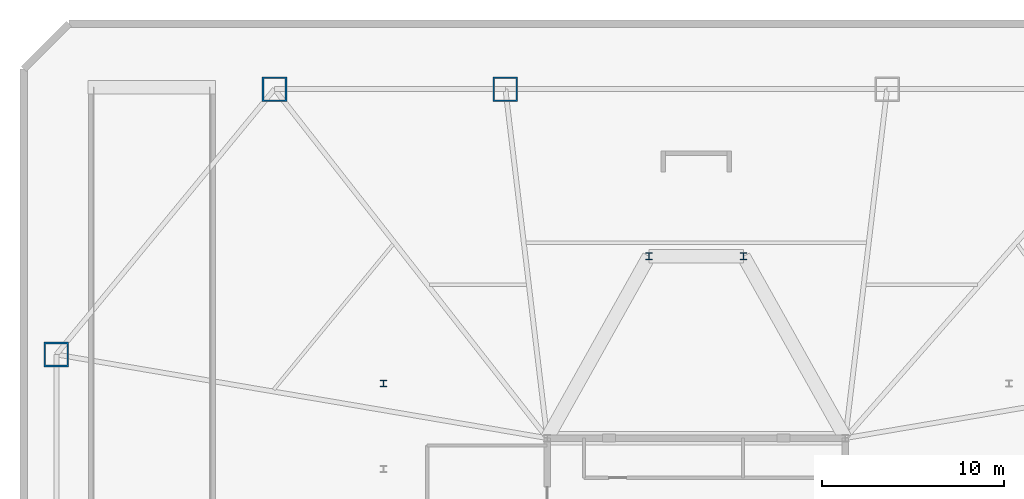
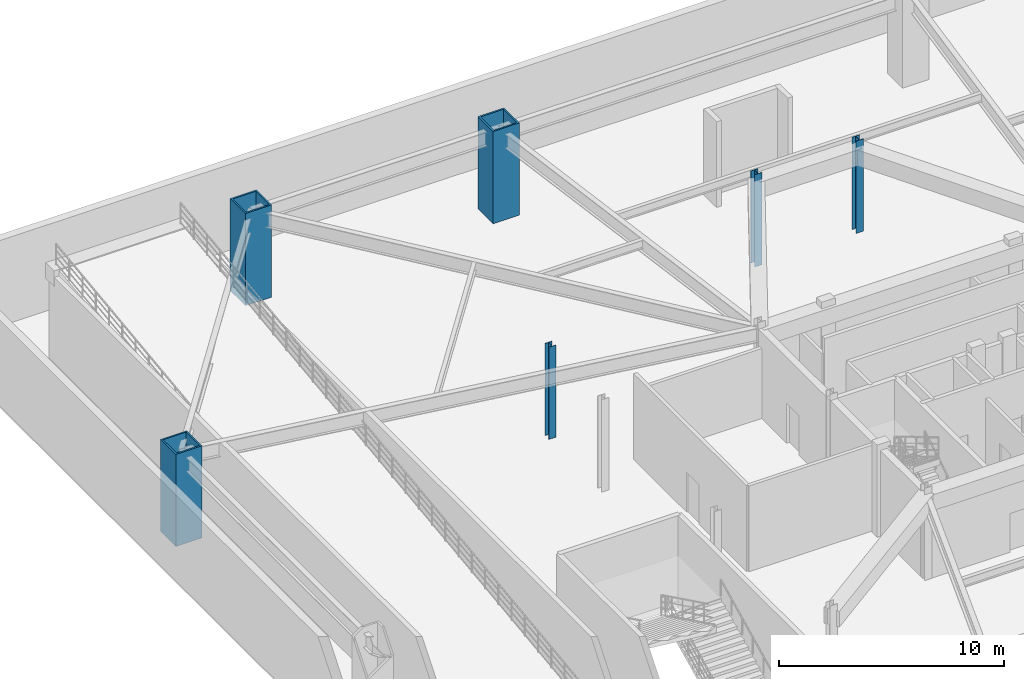
# One storey, part 3 of 9: 6 columns.
"""IFC4 building model written with IfcOpenShell, lengths in metres."""

from ifc_helpers import new_model, si_unit, direction, frame, origin, origin_2d, place, context, subcontext, project, spatial, hollow_rectangle, i_section, extrude, material, material_profile, profile_set, type_object, element, save


model = new_model("IFC4")

# Units and contexts
model_context = context("Model", 3, precision=1e-05, world=origin(), true_north=direction((0.0, 1.0)))
body_context = subcontext(model_context, "Body", "Model", "MODEL_VIEW")
ifc_project = project(units=[si_unit("LENGTHUNIT", "METRE"), si_unit("AREAUNIT", "SQUARE_METRE"), si_unit("VOLUMEUNIT", "CUBIC_METRE"), si_unit("PLANEANGLEUNIT", "RADIAN"), si_unit("MASSUNIT", "GRAM", prefix="KILO")], contexts=[model_context])

# Site, building, storey
site_placement = place(None, origin())
site = spatial("IfcSite", under=ifc_project, at=site_placement, CompositionType="ELEMENT")
building_placement = place(site_placement, origin())
building = spatial("IfcBuilding", under=site, at=building_placement, Name="Varakhsha Concourse Tower", CompositionType="ELEMENT")
storey_placement = place(building_placement, frame((0.0, 0.0, -5.0)))
storey = spatial("IfcBuildingStorey", under=building, at=storey_placement, Name="B01", CompositionType="ELEMENT", Elevation=-5.0)

# Columns
ifc_material_1 = material(Name="Structural Steel ASTM A992 Grade 50", Category="steel")
ifc_material_profile_1 = material_profile(ifc_material_1, i_section(OverallWidth=0.3740234375, OverallDepth=0.3720703125, WebThickness=0.01611328125, FlangeThickness=0.02587890625, at=origin_2d()), Name="W14X132")
ifc_profile_set_1 = profile_set([ifc_material_profile_1], Name="Structural Steel ASTM A992 Grade 50")
column_type_1 = type_object("IfcColumnType", Name="CL-CORE-W14X132", PredefinedType="COLUMN", material=ifc_profile_set_1)
for number, where, z_axis, x_axis, name in (
    (1, (37.39990234375, 41.199951171875, 0.0), (0.0, 0.0, 1.0), (1.0, 0.0, 0.0), "B01 Core Column NS-W"),
    (2, (42.60009765625, 41.199951171875, 0.0), (0.0, 0.0, 1.0), (1.0, 0.0, 0.0), "B01 Core Column NS-E"),
):
    element("IfcColumn", number, at=place(storey_placement, frame(where, z_axis=z_axis, x_axis=x_axis)), inside=storey, type_object=column_type_1, Name=name, PredefinedType="COLUMN", context=body_context, shape_type="SweptSolid", body=[
        extrude(i_section(OverallWidth=0.3740234375, OverallDepth=0.3720703125, WebThickness=0.01611328125, FlangeThickness=0.02587890625, at=origin_2d()), origin(), (0.0, 0.0, 1.0), 5.0),
    ])
ifc_material_profile_2 = material_profile(ifc_material_1, i_section(OverallWidth=0.368896484375, OverallDepth=0.35595703125, WebThickness=0.010986328125, FlangeThickness=0.01806640625, at=origin_2d()), Name="W14X90")
ifc_profile_set_2 = profile_set([ifc_material_profile_2], Name="Structural Steel ASTM A992 Grade 50")
column_type_2 = type_object("IfcColumnType", Name="CL-POD-W14X90", PredefinedType="COLUMN", material=ifc_profile_set_2)
column_placement = place(storey_placement, frame((22.800048828125, 34.199951171875, 0.0), z_axis=(0.0, 0.0, 1.0), x_axis=(1.0, 0.0, 0.0)))
element("IfcColumn", 3, at=column_placement, inside=storey, type_object=column_type_2, Name="B01 Substructure Column AUX-S1", PredefinedType="COLUMN", context=body_context, shape_type="SweptSolid", body=[
    extrude(i_section(OverallWidth=0.368896484375, OverallDepth=0.35595703125, WebThickness=0.010986328125, FlangeThickness=0.01806640625, at=origin_2d()), origin(), (0.0, 0.0, 1.0), 5.0),
])
ifc_material_2 = material(Name="Structural Steel ASTM A572 Grade 50", Category="steel")
ifc_material_profile_3 = material_profile(ifc_material_2, hollow_rectangle(XDim=1.35009765625, YDim=1.35009765625, WallThickness=0.0849609375, at=origin_2d()), Name="BOX 1350x1350x85")
ifc_profile_set_3 = profile_set([ifc_material_profile_3], Name="Structural Steel ASTM A572 Grade 50")
column_type_3 = type_object("IfcColumnType", Name="CL-STILT-1350", PredefinedType="COLUMN", material=ifc_profile_set_3)
for number, where, z_axis, x_axis, name in (
    (4, (4.800048828125, 35.800048828125, 0.0), (0.0, 0.0, 1.0), (1.0, 0.0, 0.0), "B01 Podium Mega-Column PC-W2"),
    (5, (16.800048828125, 50.39990234375, 0.0), (0.0, 0.0, 1.0), (1.0, 0.0, 0.0), "B01 Podium Mega-Column PC-N1"),
    (6, (29.5, 50.39990234375, 0.0), (0.0, 0.0, 1.0), (1.0, 0.0, 0.0), "B01 Podium Mega-Column PC-N2"),
):
    element("IfcColumn", number, at=place(storey_placement, frame(where, z_axis=z_axis, x_axis=x_axis)), inside=storey, type_object=column_type_3, Name=name, PredefinedType="COLUMN", context=body_context, shape_type="SweptSolid", body=[
        extrude(hollow_rectangle(XDim=1.35009765625, YDim=1.35009765625, WallThickness=0.0849609375, at=origin_2d()), origin(), (0.0, 0.0, 1.0), 5.0),
    ])

save(model, "model.ifc")
